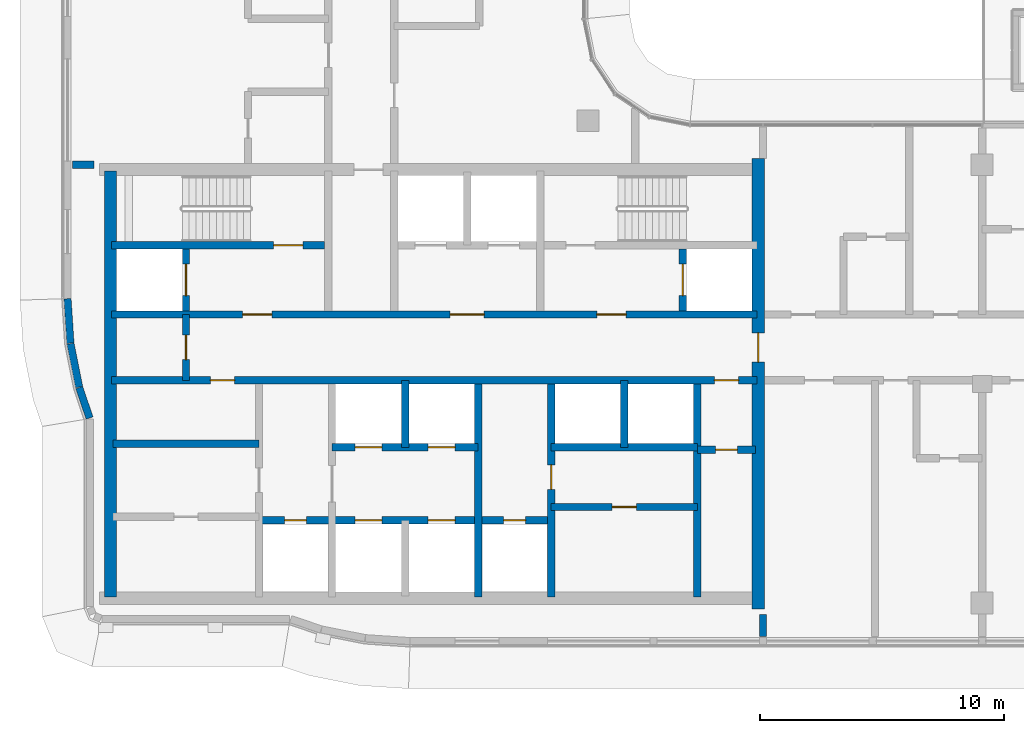
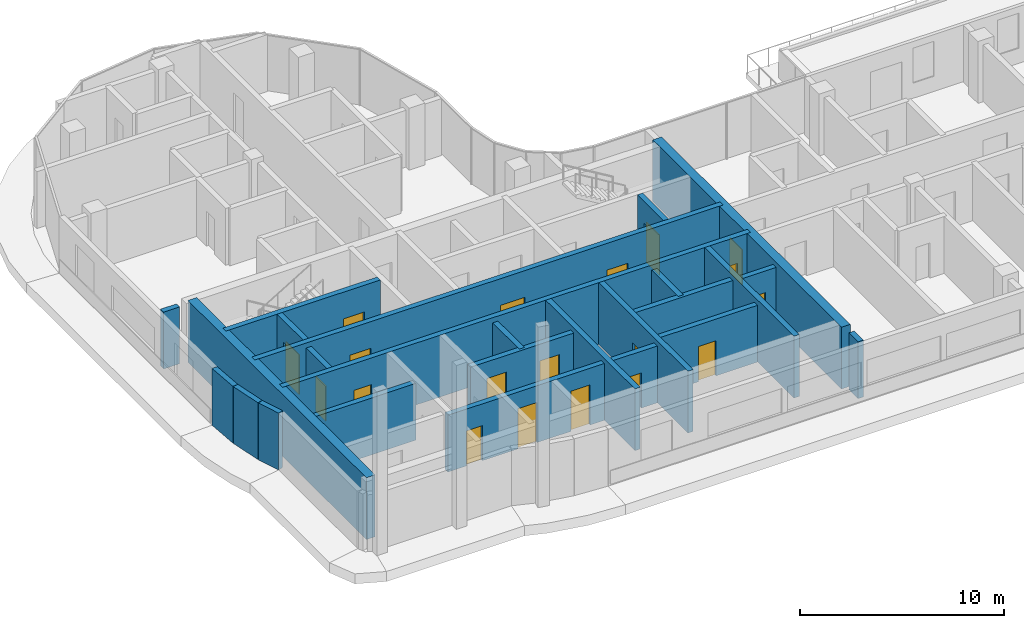
# One storey, part 9 of 20: 24 walls, 19 doors, 19 openings.
"""IFC4 building model written with IfcOpenShell, lengths in metres."""

import ifcopenshell
import ifcopenshell.guid

model = None  # the IFC model being written
_history = None  # IfcOwnerHistory: only IFC2X3 demands one
_inside = {}  # id of a spatial element -> (the spatial element, [elements in it])
_under = {}  # id of a project, library or spatial element -> (it, [spatial elements below it])
_declared = {}  # id of a project -> (the project, [libraries it declares])
_typed = {}  # id of a type object -> (the type object, [elements of that type])
_made_of = {}  # id of a material, layer set ... -> (it, [elements and type objects made of it])


def new_model(schema):
    """Start an empty IFC model of exactly this schema.

    Asked for "IFC4X3", IfcOpenShell would pick the latest addendum, in which some entities
    have other attributes; the version numbers below select the first issue.
    IFC2X3 requires an IfcOwnerHistory on every rooted entity: one is made here for all.
    """
    global model, _history
    if schema == "IFC4X3":
        model = ifcopenshell.file(schema_version=(4, 3, 0, 0))
    else:
        model = ifcopenshell.file(schema=schema)
    _inside.clear()
    _under.clear()
    _declared.clear()
    _typed.clear()
    _made_of.clear()
    _history = None
    if model.schema == "IFC2X3":
        org = make("IfcOrganization", Name="unknown")
        user = make(
            "IfcPersonAndOrganization",
            ThePerson=make("IfcPerson", FamilyName="unknown"),
            TheOrganization=org,
        )
        app = make(
            "IfcApplication",
            ApplicationDeveloper=org,
            Version="unknown",
            ApplicationFullName="unknown",
            ApplicationIdentifier="unknown",
        )
        _history = make(
            "IfcOwnerHistory",
            OwningUser=user,
            OwningApplication=app,
            ChangeAction="ADDED",
            CreationDate=0,
        )
    return model


def make(cls, **values):
    """One entity of the class cls with the attributes given. An attribute that is None is left unset."""
    return model.create_entity(
        cls, **{name: value for name, value in values.items() if value is not None}
    )


def rooted(cls, **values):
    """An entity with a GlobalId (a new one), such as an element, a storey or a relation."""
    return make(cls, GlobalId=ifcopenshell.guid.new(), OwnerHistory=_history, **values)


def si_unit(unit_type, name, prefix=None):
    """IfcSIUnit, for example si_unit("LENGTHUNIT", "METRE", prefix="MILLI")."""
    return make("IfcSIUnit", UnitType=unit_type, Prefix=prefix, Name=name)


def assignment(units):
    """IfcUnitAssignment: the units of a project."""
    return None if units is None else make("IfcUnitAssignment", Units=units)


def point(xyz):
    """IfcCartesianPoint."""
    return None if xyz is None else make("IfcCartesianPoint", Coordinates=xyz)


def direction(xyz):
    """IfcDirection."""
    return None if xyz is None else make("IfcDirection", DirectionRatios=xyz)


def frame(location, z_axis=None, x_axis=None):
    """IfcAxis2Placement3D, a coordinate frame: its origin and axes. An axis left out is left unset."""
    return make(
        "IfcAxis2Placement3D",
        Location=point(location),
        Axis=direction(z_axis),
        RefDirection=direction(x_axis),
    )


def frame_2d(location, x_axis=None):
    """IfcAxis2Placement2D, a coordinate frame in the plane: its origin and x axis."""
    return make(
        "IfcAxis2Placement2D", Location=point(location), RefDirection=direction(x_axis)
    )


def origin():
    """The frame at (0, 0, 0) with its axes left unset."""
    return frame((0.0, 0.0, 0.0))


def place(relative_to, where):
    """IfcLocalPlacement: puts the frame where relative to a parent placement (None: the world)."""
    return make(
        "IfcLocalPlacement", PlacementRelTo=relative_to, RelativePlacement=where
    )


def context(
    kind, dimensions, precision=None, world=None, true_north=None, identifier=None
):
    """IfcGeometricRepresentationContext, for example the 3D "Model" context."""
    return make(
        "IfcGeometricRepresentationContext",
        ContextIdentifier=identifier,
        ContextType=kind,
        CoordinateSpaceDimension=dimensions,
        Precision=precision,
        WorldCoordinateSystem=world,
        TrueNorth=true_north,
    )


def subcontext(parent, identifier, kind, view, scale=None):
    """IfcGeometricRepresentationSubContext, for example "Body" below "Model"."""
    return make(
        "IfcGeometricRepresentationSubContext",
        ContextIdentifier=identifier,
        ContextType=kind,
        ParentContext=parent,
        TargetScale=scale,
        TargetView=view,
    )


def project(units=None, contexts=None):
    """IfcProject with its units and contexts."""
    return rooted(
        "IfcProject",
        Name="project",
        RepresentationContexts=contexts,
        UnitsInContext=assignment(units),
    )


def spatial(cls, under=None, at=None, **own):
    """A site, building, storey or space (cls), placed at a placement, below another one or the project."""
    s = rooted(cls, ObjectPlacement=at, **own)
    if under is not None:
        _under.setdefault(under.id(), (under, []))[1].append(s)
    return s


def profile(cls, at=None, kind="AREA", **sizes):
    """A parametric profile (cls). Its sizes go by their IFC names, for example OverallWidth=200.0."""
    return make(cls, ProfileType=kind, Position=at, **sizes)


def rectangle(**sizes):
    """IfcRectangleProfileDef."""
    return profile("IfcRectangleProfileDef", **sizes)


def extrude(swept, where, along, depth):
    """IfcExtrudedAreaSolid: the profile swept, set in the frame where, extruded along a direction by depth."""
    return make(
        "IfcExtrudedAreaSolid",
        SweptArea=swept,
        Position=where,
        ExtrudedDirection=direction(along),
        Depth=depth,
    )


def shape(context_of_items, identifier, shape_type, items):
    """IfcShapeRepresentation: the items that make up one representation, for example the "Body"."""
    return make(
        "IfcShapeRepresentation",
        ContextOfItems=context_of_items,
        RepresentationIdentifier=identifier,
        RepresentationType=shape_type,
        Items=items,
    )


def material(Name=None, Category=None):
    """IfcMaterial."""
    return make("IfcMaterial", Name=Name, Category=Category)


def layer(
    of_material, thickness, ventilated=None, Name=None, Category=None, Priority=None
):
    """IfcMaterialLayer: one layer of a wall or slab, of a material (None: an air gap)."""
    return make(
        "IfcMaterialLayer",
        Material=of_material,
        LayerThickness=thickness,
        IsVentilated=ventilated,
        Name=Name,
        Category=Category,
        Priority=Priority,
    )


def layer_set(layers, Name=None):
    """IfcMaterialLayerSet."""
    return make("IfcMaterialLayerSet", MaterialLayers=layers, LayerSetName=Name)


def made_of(thing, what):
    """Note that an element or type object is made of a material, layer set ...; save() writes the relation."""
    if what is not None:
        _made_of.setdefault(what.id(), (what, []))[1].append(thing)
    return thing


def type_object(cls, material=None, **own):
    """A type object (cls), such as IfcWallType, which elements share."""
    return made_of(rooted(cls, **own), material)


def element(
    cls,
    number,
    at=None,
    inside=None,
    cuts=None,
    type_object=None,
    material=None,
    context=None,
    identifier="Body",
    shape_type=None,
    held_by="IfcProductDefinitionShape",
    body=None,
    shapes=None,
    **own,
):
    """One element of the class cls, such as IfcWall. Its Tag is "e" and its number.

    at: its placement. inside: the storey or other place that contains it. cuts: it is an
    opening in that element (IfcRelVoidsElement). A single representation is given by context,
    identifier, shape_type and body (its items); several are given by shapes. held_by: the class
    of the entity that holds the representations. save() writes the other relations.
    """
    e = rooted(cls, Tag="e%d" % number, ObjectPlacement=at, **own)
    if body is not None:
        shapes = [shape(context, identifier, shape_type, body)]
    if shapes is not None:
        e.Representation = make(held_by, Representations=shapes)
    if inside is not None:
        _inside.setdefault(inside.id(), (inside, []))[1].append(e)
    if cuts is not None:
        rooted(
            "IfcRelVoidsElement", RelatingBuildingElement=cuts, RelatedOpeningElement=e
        )
    if type_object is not None:
        _typed.setdefault(type_object.id(), (type_object, []))[1].append(e)
    return made_of(e, material)


def fill(opening, filler):
    """IfcRelFillsElement: the door or window that sits in an opening."""
    return rooted(
        "IfcRelFillsElement",
        RelatingOpeningElement=opening,
        RelatedBuildingElement=filler,
    )


def aggregate(whole, parts):
    """IfcRelAggregates: a whole, such as a stair, and the parts it consists of."""
    return rooted("IfcRelAggregates", RelatingObject=whole, RelatedObjects=parts)


def save(model, path):
    """Write the relations noted so far, then the file.

    IfcRelAggregates (storeys below a building ...), IfcRelContainedInSpatialStructure (elements
    in a storey), IfcRelDefinesByType, IfcRelAssociatesMaterial and IfcRelDeclares: one each for
    every whole, place, type object, material and project.
    """
    for whole, parts in _under.values():
        aggregate(whole, parts)
    for where, things in _inside.values():
        rooted(
            "IfcRelContainedInSpatialStructure",
            RelatedElements=things,
            RelatingStructure=where,
        )
    for kind, things in _typed.values():
        rooted("IfcRelDefinesByType", RelatedObjects=things, RelatingType=kind)
    for what, things in _made_of.values():
        rooted("IfcRelAssociatesMaterial", RelatedObjects=things, RelatingMaterial=what)
    for by, libraries in _declared.values():
        rooted("IfcRelDeclares", RelatingContext=by, RelatedDefinitions=libraries)
    model.write(path)


model = new_model("IFC4")

# Units and contexts
model_context = context("Model", 3, precision=1e-05, world=origin(), true_north=direction((0.0, 1.0)))
body_context = subcontext(model_context, "Body", "Model", "MODEL_VIEW")
ifc_project = project(units=[si_unit("LENGTHUNIT", "METRE"), si_unit("AREAUNIT", "SQUARE_METRE"), si_unit("VOLUMEUNIT", "CUBIC_METRE"), si_unit("PLANEANGLEUNIT", "RADIAN"), si_unit("MASSUNIT", "GRAM", prefix="KILO")], contexts=[model_context])

# Site, building, storey
site_placement = place(None, origin())
site = spatial("IfcSite", under=ifc_project, at=site_placement, CompositionType="ELEMENT")
building_placement = place(site_placement, origin())
building = spatial("IfcBuilding", under=site, at=building_placement, Name="Ogive Portal Towers", CompositionType="ELEMENT")
storey_placement = place(building_placement, frame((0.0, 0.0, 195.800048828125)))
storey = spatial("IfcBuildingStorey", under=building, at=storey_placement, Name="L48", CompositionType="ELEMENT", Elevation=195.800048828125)

# Wall
ifc_material_1 = material(Name="Concrete C60/75", Category="concrete")
ifc_layer_1 = layer(ifc_material_1, 0.300048828125)
ifc_layer_set_1 = layer_set([ifc_layer_1], Name="CORE WALL 300 C60")
wall_type_1 = type_object("IfcWallType", Name="CORE WALL 300 C60", PredefinedType="SHEAR", material=ifc_layer_set_1)
wall_1_placement = place(storey_placement, frame((46.800048828125, 21.75, 0.0), z_axis=(0.0, 0.0, 1.0), x_axis=(0.0, 1.0, 0.0)))
element("IfcWall", 1, at=wall_1_placement, inside=storey, type_object=wall_type_1, Name="Core wall X3 L48", PredefinedType="SHEAR", context=body_context, shape_type="SweptSolid", body=[
    extrude(rectangle(XDim=8.75, YDim=0.300048828125, at=frame_2d((4.375, 0.0))), origin(), (0.0, 0.0, 1.0), 3.699951171875),
])

# Wall, opening, door
wall_2_placement = place(storey_placement, frame((49.800048828125, 21.75, 0.0), z_axis=(0.0, 0.0, 1.0), x_axis=(0.0, 1.0, 0.0)))
wall_2 = element("IfcWall", 2, at=wall_2_placement, inside=storey, type_object=wall_type_1, Name="Core wall X4 L48", PredefinedType="SHEAR", context=body_context, shape_type="SweptSolid", body=[
    extrude(rectangle(XDim=8.75, YDim=0.300048828125, at=frame_2d((4.375, 0.0))), origin(), (0.0, 0.0, 1.0), 3.699951171875),
])
opening_1_placement = place(wall_2_placement, frame((4.425048828125, 0.0, 0.0)))
opening_1 = element("IfcOpeningElement", 3, at=opening_1_placement, cuts=wall_2, Name="Opening D35-024", PredefinedType="OPENING", context=body_context, shape_type="SweptSolid", body=[
    extrude(rectangle(XDim=1.0, YDim=2.10009765625, at=frame_2d((0.5, 1.050048828125))), frame((0.0, 0.16015625, 0.0), z_axis=(0.0, -1.0, 0.0), x_axis=(1.0, 0.0, 0.0)), (0.0, 0.0, 1.0), 0.320068359375),
])
ifc_material_2 = material(Name="Steel fire door", Category="steel")
door_type_1 = type_object("IfcDoorType", Name="DT-SWING-1000x2100-FD90S", OperationType="SINGLE_SWING_LEFT", PredefinedType="DOOR", material=ifc_material_2)
door_1_placement = place(opening_1_placement, origin())
door_1 = element("IfcDoor", 4, at=door_1_placement, inside=storey, type_object=door_type_1, Name="Door D35-024", OperationType="SINGLE_SWING_RIGHT", OverallHeight=2.10009765625, OverallWidth=1.0, PredefinedType="DOOR", context=body_context, shape_type="SweptSolid", body=[
    extrude(rectangle(XDim=1.0, YDim=2.10009765625, at=frame_2d((0.5, 1.050048828125))), frame((0.0, 0.02490234375, 0.0), z_axis=(0.0, -1.0, 0.0), x_axis=(1.0, 0.0, 0.0)), (0.0, 0.0, 1.0), 0.050048828125),
])
fill(opening_1, door_1)

# Wall
wall_3_placement = place(storey_placement, frame((55.800048828125, 21.75, 0.0), z_axis=(0.0, 0.0, 1.0), x_axis=(0.0, 1.0, 0.0)))
element("IfcWall", 5, at=wall_3_placement, inside=storey, type_object=wall_type_1, Name="Core wall X5 L48", PredefinedType="SHEAR", context=body_context, shape_type="SweptSolid", body=[
    extrude(rectangle(XDim=8.75, YDim=0.300048828125, at=frame_2d((4.375, 0.0))), origin(), (0.0, 0.0, 1.0), 3.699951171875),
])

# Wall, openings, doors
wall_4_placement = place(storey_placement, frame((31.75, 30.64990234375, 0.0), z_axis=(0.0, 0.0, 1.0), x_axis=(1.0, 0.0, 0.0)))
wall_4 = element("IfcWall", 6, at=wall_4_placement, inside=storey, type_object=wall_type_1, Name="Core wall Y1 L48", PredefinedType="SHEAR", context=body_context, shape_type="SweptSolid", body=[
    extrude(rectangle(XDim=26.5, YDim=0.300048828125, at=frame_2d((13.25, 0.0))), origin(), (0.0, 0.0, 1.0), 3.699951171875),
])
opening_2_placement = place(wall_4_placement, frame((24.75, 0.0, 0.0)))
opening_2 = element("IfcOpeningElement", 7, at=opening_2_placement, cuts=wall_4, Name="Opening D35-009", PredefinedType="OPENING", context=body_context, shape_type="SweptSolid", body=[
    extrude(rectangle(XDim=1.0, YDim=2.10009765625, at=frame_2d((0.5, 1.050048828125))), frame((0.0, 0.16015625, 0.0), z_axis=(0.0, -1.0, 0.0), x_axis=(1.0, 0.0, 0.0)), (0.0, 0.0, 1.0), 0.320068359375),
])
opening_3_placement = place(wall_4_placement, frame((4.050048828125, 0.0, 0.0)))
opening_3 = element("IfcOpeningElement", 8, at=opening_3_placement, cuts=wall_4, Name="Opening D35-021", PredefinedType="OPENING", context=body_context, shape_type="SweptSolid", body=[
    extrude(rectangle(XDim=1.0, YDim=2.10009765625, at=frame_2d((0.5, 1.050048828125))), frame((0.0, 0.16015625, 0.0), z_axis=(0.0, -1.0, 0.0), x_axis=(1.0, 0.0, 0.0)), (0.0, 0.0, 1.0), 0.320068359375),
])
door_2_placement = place(opening_2_placement, origin())
door_2 = element("IfcDoor", 9, at=door_2_placement, inside=storey, type_object=door_type_1, Name="Door D35-009", OperationType="SINGLE_SWING_LEFT", OverallHeight=2.10009765625, OverallWidth=1.0, PredefinedType="DOOR", context=body_context, shape_type="SweptSolid", body=[
    extrude(rectangle(XDim=1.0, YDim=2.10009765625, at=frame_2d((0.5, 1.050048828125))), frame((0.0, 0.02490234375, 0.0), z_axis=(0.0, -1.0, 0.0), x_axis=(1.0, 0.0, 0.0)), (0.0, 0.0, 1.0), 0.050048828125),
])
fill(opening_2, door_2)
door_3_placement = place(opening_3_placement, origin())
door_3 = element("IfcDoor", 10, at=door_3_placement, inside=storey, type_object=door_type_1, Name="Door D35-021", OperationType="SINGLE_SWING_LEFT", OverallHeight=2.10009765625, OverallWidth=1.0, PredefinedType="DOOR", context=body_context, shape_type="SweptSolid", body=[
    extrude(rectangle(XDim=1.0, YDim=2.10009765625, at=frame_2d((0.5, 1.050048828125))), frame((0.0, 0.02490234375, 0.0), z_axis=(0.0, -1.0, 0.0), x_axis=(1.0, 0.0, 0.0)), (0.0, 0.0, 1.0), 0.050048828125),
])
fill(opening_3, door_3)

wall_5_placement = place(storey_placement, frame((31.75, 33.35009765625, 0.0), z_axis=(0.0, 0.0, 1.0), x_axis=(1.0, 0.0, 0.0)))
wall_5 = element("IfcWall", 11, at=wall_5_placement, inside=storey, type_object=wall_type_1, Name="Core wall Y2 L48", PredefinedType="SHEAR", context=body_context, shape_type="SweptSolid", body=[
    extrude(rectangle(XDim=26.5, YDim=0.300048828125, at=frame_2d((13.25, 0.0))), origin(), (0.0, 0.0, 1.0), 3.699951171875),
])
opening_4_placement = place(wall_5_placement, frame((13.89990234375, 0.0, 0.0)))
opening_4 = element("IfcOpeningElement", 12, at=opening_4_placement, cuts=wall_5, Name="Opening D35-002", PredefinedType="OPENING", context=body_context, shape_type="SweptSolid", body=[
    extrude(rectangle(XDim=1.39990234375, YDim=2.10009765625, at=frame_2d((0.699951171875, 1.050048828125))), frame((0.0, 0.16015625, 0.0), z_axis=(0.0, -1.0, 0.0), x_axis=(1.0, 0.0, 0.0)), (0.0, 0.0, 1.0), 0.320068359375),
])
opening_5_placement = place(wall_5_placement, frame((5.375, 0.0, 0.0)))
opening_5 = element("IfcOpeningElement", 13, at=opening_5_placement, cuts=wall_5, Name="Opening D35-003", PredefinedType="OPENING", context=body_context, shape_type="SweptSolid", body=[
    extrude(rectangle(XDim=1.199951171875, YDim=2.10009765625, at=frame_2d((0.60009765625, 1.050048828125))), frame((0.0, 0.16015625, 0.0), z_axis=(0.0, -1.0, 0.0), x_axis=(1.0, 0.0, 0.0)), (0.0, 0.0, 1.0), 0.320068359375),
])
opening_6_placement = place(wall_5_placement, frame((19.925048828125, 0.0, 0.0)))
opening_6 = element("IfcOpeningElement", 14, at=opening_6_placement, cuts=wall_5, Name="Opening D35-004", PredefinedType="OPENING", context=body_context, shape_type="SweptSolid", body=[
    extrude(rectangle(XDim=1.199951171875, YDim=2.10009765625, at=frame_2d((0.60009765625, 1.050048828125))), frame((0.0, 0.16015625, 0.0), z_axis=(0.0, -1.0, 0.0), x_axis=(1.0, 0.0, 0.0)), (0.0, 0.0, 1.0), 0.320068359375),
])
door_type_2 = type_object("IfcDoorType", Name="DT-SWING-1200x2100-FD90S", OperationType="SINGLE_SWING_LEFT", PredefinedType="DOOR", material=ifc_material_2)
door_4_placement = place(opening_5_placement, origin())
door_4 = element("IfcDoor", 15, at=door_4_placement, inside=storey, type_object=door_type_2, Name="Door D35-003", OperationType="SINGLE_SWING_LEFT", OverallHeight=2.10009765625, OverallWidth=1.199951171875, PredefinedType="DOOR", context=body_context, shape_type="SweptSolid", body=[
    extrude(rectangle(XDim=1.199951171875, YDim=2.10009765625, at=frame_2d((0.60009765625, 1.050048828125))), frame((0.0, 0.02490234375, 0.0), z_axis=(0.0, -1.0, 0.0), x_axis=(1.0, 0.0, 0.0)), (0.0, 0.0, 1.0), 0.050048828125),
])
fill(opening_5, door_4)
door_5_placement = place(opening_6_placement, origin())
door_5 = element("IfcDoor", 16, at=door_5_placement, inside=storey, type_object=door_type_2, Name="Door D35-004", OperationType="SINGLE_SWING_RIGHT", OverallHeight=2.10009765625, OverallWidth=1.199951171875, PredefinedType="DOOR", context=body_context, shape_type="SweptSolid", body=[
    extrude(rectangle(XDim=1.199951171875, YDim=2.10009765625, at=frame_2d((0.60009765625, 1.050048828125))), frame((0.0, 0.02490234375, 0.0), z_axis=(0.0, -1.0, 0.0), x_axis=(1.0, 0.0, 0.0)), (0.0, 0.0, 1.0), 0.050048828125),
])
fill(opening_6, door_5)
door_type_3 = type_object("IfcDoorType", Name="DT-SWING-1400x2100-FD90S", OperationType="SINGLE_SWING_LEFT", PredefinedType="DOOR", material=ifc_material_2)
door_6_placement = place(opening_4_placement, origin())
door_6 = element("IfcDoor", 17, at=door_6_placement, inside=storey, type_object=door_type_3, Name="Door D35-002", OperationType="SINGLE_SWING_RIGHT", OverallHeight=2.10009765625, OverallWidth=1.39990234375, PredefinedType="DOOR", context=body_context, shape_type="SweptSolid", body=[
    extrude(rectangle(XDim=1.39990234375, YDim=2.10009765625, at=frame_2d((0.699951171875, 1.050048828125))), frame((0.0, 0.02490234375, 0.0), z_axis=(0.0, -1.0, 0.0), x_axis=(1.0, 0.0, 0.0)), (0.0, 0.0, 1.0), 0.050048828125),
])
fill(opening_4, door_6)

# Wall, opening, door
wall_6_placement = place(storey_placement, frame((31.75, 36.199951171875, 0.0), z_axis=(0.0, 0.0, 1.0), x_axis=(1.0, 0.0, 0.0)))
wall_6 = element("IfcWall", 18, at=wall_6_placement, inside=storey, type_object=wall_type_1, Name="Core wall Y3a L48", PredefinedType="SHEAR", context=body_context, shape_type="SweptSolid", body=[
    extrude(rectangle(XDim=8.75, YDim=0.300048828125, at=frame_2d((4.375, 0.0))), origin(), (0.0, 0.0, 1.0), 3.699951171875),
])
opening_7_placement = place(wall_6_placement, frame((6.64990234375, 0.0, 0.0)))
opening_7 = element("IfcOpeningElement", 19, at=opening_7_placement, cuts=wall_6, Name="Opening D35-005", PredefinedType="OPENING", context=body_context, shape_type="SweptSolid", body=[
    extrude(rectangle(XDim=1.199951171875, YDim=2.10009765625, at=frame_2d((0.60009765625, 1.050048828125))), frame((0.0, 0.16015625, 0.0), z_axis=(0.0, -1.0, 0.0), x_axis=(1.0, 0.0, 0.0)), (0.0, 0.0, 1.0), 0.320068359375),
])
door_7_placement = place(opening_7_placement, origin())
door_7 = element("IfcDoor", 20, at=door_7_placement, inside=storey, type_object=door_type_2, Name="Door D35-005", OperationType="SINGLE_SWING_RIGHT", OverallHeight=2.10009765625, OverallWidth=1.199951171875, PredefinedType="DOOR", context=body_context, shape_type="SweptSolid", body=[
    extrude(rectangle(XDim=1.199951171875, YDim=2.10009765625, at=frame_2d((0.60009765625, 1.050048828125))), frame((0.0, 0.02490234375, 0.0), z_axis=(0.0, -1.0, 0.0), x_axis=(1.0, 0.0, 0.0)), (0.0, 0.0, 1.0), 0.050048828125),
])
fill(opening_7, door_7)

wall_7_placement = place(storey_placement, frame((34.800048828125, 33.5, 0.0), z_axis=(0.0, 0.0, 1.0), x_axis=(0.0, 1.0, 0.0)))
wall_7 = element("IfcWall", 21, at=wall_7_placement, inside=storey, type_object=wall_type_1, Name="Core wall X8 L48", PredefinedType="SHEAR", context=body_context, shape_type="SweptSolid", body=[
    extrude(rectangle(XDim=2.550048828125, YDim=0.300048828125, at=frame_2d((1.27490234375, 0.0))), origin(), (0.0, 0.0, 1.0), 3.699951171875),
])
opening_8_placement = place(wall_7_placement, frame((0.625, 0.0, 0.0)))
opening_8 = element("IfcOpeningElement", 22, at=opening_8_placement, cuts=wall_7, Name="Opening D35-019", PredefinedType="OPENING", context=body_context, shape_type="SweptSolid", body=[
    extrude(rectangle(XDim=1.300048828125, YDim=2.39990234375, at=frame_2d((0.64990234375, 1.199951171875))), frame((0.0, 0.16015625, 0.0), z_axis=(0.0, -1.0, 0.0), x_axis=(1.0, 0.0, 0.0)), (0.0, 0.0, 1.0), 0.320068359375),
])
ifc_material_3 = material(Name="Stainless steel", Category="steel")
door_type_4 = type_object("IfcDoorType", Name="DT-LD-1300x2400", OperationType="SLIDING_TO_LEFT", PredefinedType="DOOR", material=ifc_material_3)
door_8_placement = place(opening_8_placement, origin())
door_8 = element("IfcDoor", 23, at=door_8_placement, inside=storey, type_object=door_type_4, Name="Door D35-019", OperationType="SLIDING_TO_LEFT", OverallHeight=2.39990234375, OverallWidth=1.300048828125, PredefinedType="DOOR", context=body_context, shape_type="SweptSolid", body=[
    extrude(rectangle(XDim=1.300048828125, YDim=2.39990234375, at=frame_2d((0.64990234375, 1.199951171875))), frame((0.0, 0.02490234375, 0.0), z_axis=(0.0, -1.0, 0.0), x_axis=(1.0, 0.0, 0.0)), (0.0, 0.0, 1.0), 0.050048828125),
])
fill(opening_8, door_8)

wall_8_placement = place(storey_placement, frame((55.199951171875, 33.5, 0.0), z_axis=(0.0, 0.0, 1.0), x_axis=(0.0, 1.0, 0.0)))
wall_8 = element("IfcWall", 24, at=wall_8_placement, inside=storey, type_object=wall_type_1, Name="Core wall X10 L48", PredefinedType="SHEAR", context=body_context, shape_type="SweptSolid", body=[
    extrude(rectangle(XDim=2.550048828125, YDim=0.300048828125, at=frame_2d((1.27490234375, 0.0))), origin(), (0.0, 0.0, 1.0), 3.699951171875),
])
opening_9_placement = place(wall_8_placement, frame((0.625, 0.0, 0.0)))
opening_9 = element("IfcOpeningElement", 25, at=opening_9_placement, cuts=wall_8, Name="Opening D35-020", PredefinedType="OPENING", context=body_context, shape_type="SweptSolid", body=[
    extrude(rectangle(XDim=1.300048828125, YDim=2.39990234375, at=frame_2d((0.64990234375, 1.199951171875))), frame((0.0, 0.16015625, 0.0), z_axis=(0.0, -1.0, 0.0), x_axis=(1.0, 0.0, 0.0)), (0.0, 0.0, 1.0), 0.320068359375),
])
door_9_placement = place(opening_9_placement, origin())
door_9 = element("IfcDoor", 26, at=door_9_placement, inside=storey, type_object=door_type_4, Name="Door D35-020", OperationType="SLIDING_TO_LEFT", OverallHeight=2.39990234375, OverallWidth=1.300048828125, PredefinedType="DOOR", context=body_context, shape_type="SweptSolid", body=[
    extrude(rectangle(XDim=1.300048828125, YDim=2.39990234375, at=frame_2d((0.64990234375, 1.199951171875))), frame((0.0, 0.02490234375, 0.0), z_axis=(0.0, -1.0, 0.0), x_axis=(1.0, 0.0, 0.0)), (0.0, 0.0, 1.0), 0.050048828125),
])
fill(opening_9, door_9)

# Wall
ifc_layer_2 = layer(ifc_material_1, 0.5)
ifc_layer_set_2 = layer_set([ifc_layer_2], Name="CORE WALL 500 C60")
wall_type_2 = type_object("IfcWallType", Name="CORE WALL 500 C60", PredefinedType="SHEAR", material=ifc_layer_set_2)
wall_9_placement = place(storey_placement, frame((31.699951171875, 21.75, 0.0), z_axis=(0.0, 0.0, 1.0), x_axis=(0.0, 1.0, 0.0)))
element("IfcWall", 27, at=wall_9_placement, inside=storey, type_object=wall_type_2, Name="Core wall W L48", PredefinedType="SHEAR", context=body_context, shape_type="SweptSolid", body=[
    extrude(rectangle(XDim=17.5, YDim=0.5, at=frame_2d((8.75, 0.0))), origin(), (0.0, 0.0, 1.0), 3.699951171875),
])

# Wall, opening, door
wall_10_placement = place(storey_placement, frame((58.300048828125, 21.25, 0.0), z_axis=(0.0, 0.0, 1.0), x_axis=(0.0, 1.0, 0.0)))
wall_10 = element("IfcWall", 28, at=wall_10_placement, inside=storey, type_object=wall_type_2, Name="Core wall E L48", PredefinedType="SHEAR", context=body_context, shape_type="SweptSolid", body=[
    extrude(rectangle(XDim=18.5, YDim=0.5, at=frame_2d((9.25, 0.0))), origin(), (0.0, 0.0, 1.0), 3.699951171875),
])
opening_10_placement = place(wall_10_placement, frame((10.14990234375, 0.0, 0.0)))
opening_10 = element("IfcOpeningElement", 29, at=opening_10_placement, cuts=wall_10, Name="Opening D35-011", PredefinedType="OPENING", context=body_context, shape_type="SweptSolid", body=[
    extrude(rectangle(XDim=1.199951171875, YDim=2.10009765625, at=frame_2d((0.60009765625, 1.050048828125))), frame((0.0, 0.260009765625, 0.0), z_axis=(0.0, -1.0, 0.0), x_axis=(1.0, 0.0, 0.0)), (0.0, 0.0, 1.0), 0.52001953125),
])
door_10_placement = place(opening_10_placement, origin())
door_10 = element("IfcDoor", 30, at=door_10_placement, inside=storey, type_object=door_type_2, Name="Door D35-011", OperationType="SINGLE_SWING_LEFT", OverallHeight=2.10009765625, OverallWidth=1.199951171875, PredefinedType="DOOR", context=body_context, shape_type="SweptSolid", body=[
    extrude(rectangle(XDim=1.199951171875, YDim=2.10009765625, at=frame_2d((0.60009765625, 1.050048828125))), frame((0.0, 0.02490234375, 0.0), z_axis=(0.0, -1.0, 0.0), x_axis=(1.0, 0.0, 0.0)), (0.0, 0.0, 1.0), 0.050048828125),
])
fill(opening_10, door_10)

# Walls
ifc_material_4 = material(Name="Limestone cladding on lightweight block wall", Category="masonry")
ifc_layer_3 = layer(ifc_material_4, 0.300048828125)
ifc_layer_set_3 = layer_set([ifc_layer_3], Name="EXTERNAL WALL 300 STONE")
wall_type_3 = type_object("IfcWallType", Name="EXTERNAL WALL 300 STONE", PredefinedType="SOLIDWALL", material=ifc_layer_set_3)
wall_11_placement = place(storey_placement, frame((29.935302734375, 34.0, 0.0), z_axis=(0.0, 0.0, 1.0), x_axis=(0.065376617685, -0.997860660543, 0.0)))
element("IfcWall", 31, at=wall_11_placement, inside=storey, type_object=wall_type_3, Name="A:L48:f26:r0:wall", PredefinedType="SOLIDWALL", context=body_context, shape_type="SweptSolid", body=[
    extrude(rectangle(XDim=1.829833984375, YDim=0.300048828125, at=frame_2d((0.9150390625, 0.0))), origin(), (0.0, 0.0, 1.0), 3.39990234375),
])
wall_12_placement = place(storey_placement, frame((30.0576171875, 32.154541015625, 0.0), z_axis=(0.0, 0.0, 1.0), x_axis=(0.195032615553, -0.980796757168, 0.0)))
element("IfcWall", 32, at=wall_12_placement, inside=storey, type_object=wall_type_3, Name="A:L48:f27:r0:wall", PredefinedType="SOLIDWALL", context=body_context, shape_type="SweptSolid", body=[
    extrude(rectangle(XDim=1.820068359375, YDim=0.300048828125, at=frame_2d((0.91015625, 0.0))), origin(), (0.0, 0.0, 1.0), 3.39990234375),
])
wall_13_placement = place(storey_placement, frame((30.417724609375, 30.3505859375, 0.0), z_axis=(0.0, 0.0, 1.0), x_axis=(0.32143850255, -0.946930456305, 0.0)))
element("IfcWall", 33, at=wall_13_placement, inside=storey, type_object=wall_type_3, Name="A:L48:f28:r0:wall", PredefinedType="SOLIDWALL", context=body_context, shape_type="SweptSolid", body=[
    extrude(rectangle(XDim=1.320068359375, YDim=0.300048828125, at=frame_2d((0.66015625, 0.0))), origin(), (0.0, 0.0, 1.0), 3.39990234375),
])

# Wall, opening, door
ifc_material_5 = material(Name="Gypsum board partition on steel studs", Category="steel")
ifc_layer_4 = layer(ifc_material_5, 0.300048828125)
ifc_layer_set_4 = layer_set([ifc_layer_4], Name="WT-PART-300")
wall_type_4 = type_object("IfcWallType", Name="WT-PART-300", PredefinedType="PARTITIONING", material=ifc_layer_set_4)
wall_14_placement = place(storey_placement, frame((49.800048828125, 25.449951171875, 0.0), z_axis=(0.0, 0.0, 1.0), x_axis=(1.0, 0.0, 0.0)))
wall_14 = element("IfcWall", 34, at=wall_14_placement, inside=storey, type_object=wall_type_4, Name="Wall pw:003:L48", PredefinedType="PARTITIONING", context=body_context, shape_type="SweptSolid", body=[
    extrude(rectangle(XDim=6.0, YDim=0.300048828125, at=frame_2d((3.0, 0.0))), origin(), (0.0, 0.0, 1.0), 3.39990234375),
])
opening_11_placement = place(wall_14_placement, frame((2.5, 0.0, 0.0)))
opening_11 = element("IfcOpeningElement", 35, at=opening_11_placement, cuts=wall_14, Name="Opening D35-025", PredefinedType="OPENING", context=body_context, shape_type="SweptSolid", body=[
    extrude(rectangle(XDim=1.0, YDim=2.10009765625, at=frame_2d((0.5, 1.050048828125))), frame((0.0, 0.16015625, 0.0), z_axis=(0.0, -1.0, 0.0), x_axis=(1.0, 0.0, 0.0)), (0.0, 0.0, 1.0), 0.320068359375),
])
door_type_5 = type_object("IfcDoorType", Name="DT-SWING-1000x2100-FD60S", OperationType="SINGLE_SWING_LEFT", PredefinedType="DOOR", material=ifc_material_2)
door_11_placement = place(opening_11_placement, origin())
door_11 = element("IfcDoor", 36, at=door_11_placement, inside=storey, type_object=door_type_5, Name="Door D35-025", OperationType="SINGLE_SWING_RIGHT", OverallHeight=2.10009765625, OverallWidth=1.0, PredefinedType="DOOR", context=body_context, shape_type="SweptSolid", body=[
    extrude(rectangle(XDim=1.0, YDim=2.10009765625, at=frame_2d((0.5, 1.050048828125))), frame((0.0, 0.02490234375, 0.0), z_axis=(0.0, -1.0, 0.0), x_axis=(1.0, 0.0, 0.0)), (0.0, 0.0, 1.0), 0.050048828125),
])
fill(opening_11, door_11)

wall_15_placement = place(storey_placement, frame((55.800048828125, 27.800048828125, 0.0), z_axis=(0.0, 0.0, 1.0), x_axis=(1.0, 0.0, 0.0)))
wall_15 = element("IfcWall", 37, at=wall_15_placement, inside=storey, type_object=wall_type_4, Name="Wall pw:004:L48", PredefinedType="PARTITIONING", context=body_context, shape_type="SweptSolid", body=[
    extrude(rectangle(XDim=2.39990234375, YDim=0.300048828125, at=frame_2d((1.199951171875, 0.0))), origin(), (0.0, 0.0, 1.0), 3.39990234375),
])
opening_12_placement = place(wall_15_placement, frame((0.75, 0.0, 0.0)))
opening_12 = element("IfcOpeningElement", 38, at=opening_12_placement, cuts=wall_15, Name="Opening D35-010", PredefinedType="OPENING", context=body_context, shape_type="SweptSolid", body=[
    extrude(rectangle(XDim=0.89990234375, YDim=2.10009765625, at=frame_2d((0.449951171875, 1.050048828125))), frame((0.0, 0.16015625, 0.0), z_axis=(0.0, -1.0, 0.0), x_axis=(1.0, 0.0, 0.0)), (0.0, 0.0, 1.0), 0.320068359375),
])
door_type_6 = type_object("IfcDoorType", Name="DT-SWING-900x2100-FD60S", OperationType="SINGLE_SWING_LEFT", PredefinedType="DOOR", material=ifc_material_2)
door_12_placement = place(opening_12_placement, origin())
door_12 = element("IfcDoor", 39, at=door_12_placement, inside=storey, type_object=door_type_6, Name="Door D35-010", OperationType="SINGLE_SWING_RIGHT", OverallHeight=2.10009765625, OverallWidth=0.89990234375, PredefinedType="DOOR", context=body_context, shape_type="SweptSolid", body=[
    extrude(rectangle(XDim=0.89990234375, YDim=2.10009765625, at=frame_2d((0.449951171875, 1.050048828125))), frame((0.0, 0.02490234375, 0.0), z_axis=(0.0, -1.0, 0.0), x_axis=(1.0, 0.0, 0.0)), (0.0, 0.0, 1.0), 0.050048828125),
])
fill(opening_12, door_12)

# Walls
wall_16_placement = place(storey_placement, frame((31.800048828125, 28.050048828125, 0.0), z_axis=(0.0, 0.0, 1.0), x_axis=(1.0, 0.0, 0.0)))
element("IfcWall", 40, at=wall_16_placement, inside=storey, type_object=wall_type_4, Name="Wall pw:007:L48", PredefinedType="PARTITIONING", context=body_context, shape_type="SweptSolid", body=[
    extrude(rectangle(XDim=6.0, YDim=0.300048828125, at=frame_2d((3.0, 0.0))), origin(), (0.0, 0.0, 1.0), 3.39990234375),
])
ifc_layer_5 = layer(ifc_material_5, 0.300048828125)
ifc_layer_set_5 = layer_set([ifc_layer_5], Name="WT-PART-300-EI 60")
wall_type_5 = type_object("IfcWallType", Name="WT-PART-300-EI 60", PredefinedType="PARTITIONING", material=ifc_layer_set_5)
for number, where, z_axis, x_axis, name in (
    (41, (30.135009765625, 39.5, 0.0), (0.0, 0.0, 1.0), (1.0, 0.0, 0.0), "Wall L48:w012"),
    (42, (58.5, 20.135009765625, 0.0), (0.0, 0.0, 1.0), (0.0, 1.0, 0.0), "Wall L48:w034"),
):
    element("IfcWall", number, at=place(storey_placement, frame(where, z_axis=z_axis, x_axis=x_axis)), inside=storey, type_object=wall_type_5, Name=name, PredefinedType="PARTITIONING", context=body_context, shape_type="SweptSolid", body=[
        extrude(rectangle(XDim=0.89501953125, YDim=0.300048828125, at=frame_2d((0.447509765625, 0.0))), origin(), (0.0, 0.0, 1.0), 3.39990234375),
    ])

# Wall, openings, doors
ifc_material_6 = material(Name="Concrete C40/50", Category="concrete")
ifc_layer_6 = layer(ifc_material_6, 0.300048828125)
ifc_layer_set_6 = layer_set([ifc_layer_6], Name="WT-SHAFT-300")
wall_type_6 = type_object("IfcWallType", Name="WT-SHAFT-300", PredefinedType="SOLIDWALL", material=ifc_layer_set_6)
wall_17_placement = place(storey_placement, frame((37.800048828125, 24.89990234375, 0.0), z_axis=(0.0, 0.0, 1.0), x_axis=(1.0, 0.0, 0.0)))
wall_17 = element("IfcWall", 43, at=wall_17_placement, inside=storey, type_object=wall_type_6, Name="Wall pw:001:L48", PredefinedType="SOLIDWALL", context=body_context, shape_type="SweptSolid", body=[
    extrude(rectangle(XDim=12.0, YDim=0.300048828125, at=frame_2d((6.0, 0.0))), origin(), (0.0, 0.0, 1.0), 3.39990234375),
])
opening_13_placement = place(wall_17_placement, frame((1.050048828125, 0.0, 0.0)))
opening_13 = element("IfcOpeningElement", 44, at=opening_13_placement, cuts=wall_17, Name="Opening D35-007", PredefinedType="OPENING", context=body_context, shape_type="SweptSolid", body=[
    extrude(rectangle(XDim=0.89990234375, YDim=2.10009765625, at=frame_2d((0.449951171875, 1.050048828125))), frame((0.0, 0.16015625, 0.0), z_axis=(0.0, -1.0, 0.0), x_axis=(1.0, 0.0, 0.0)), (0.0, 0.0, 1.0), 0.320068359375),
])
opening_14_placement = place(wall_17_placement, frame((10.050048828125, 0.0, 0.0)))
opening_14 = element("IfcOpeningElement", 45, at=opening_14_placement, cuts=wall_17, Name="Opening D35-008", PredefinedType="OPENING", context=body_context, shape_type="SweptSolid", body=[
    extrude(rectangle(XDim=0.89990234375, YDim=2.10009765625, at=frame_2d((0.449951171875, 1.050048828125))), frame((0.0, 0.16015625, 0.0), z_axis=(0.0, -1.0, 0.0), x_axis=(1.0, 0.0, 0.0)), (0.0, 0.0, 1.0), 0.320068359375),
])
opening_15_placement = place(wall_17_placement, frame((3.949951171875, 0.0, 0.0)))
opening_15 = element("IfcOpeningElement", 46, at=opening_15_placement, cuts=wall_17, Name="Opening D35-013", PredefinedType="OPENING", context=body_context, shape_type="SweptSolid", body=[
    extrude(rectangle(XDim=1.10009765625, YDim=2.39990234375, at=frame_2d((0.550048828125, 1.199951171875))), frame((0.0, 0.16015625, 0.0), z_axis=(0.0, -1.0, 0.0), x_axis=(1.0, 0.0, 0.0)), (0.0, 0.0, 1.0), 0.320068359375),
])
opening_16_placement = place(wall_17_placement, frame((6.949951171875, 0.0, 0.0)))
opening_16 = element("IfcOpeningElement", 47, at=opening_16_placement, cuts=wall_17, Name="Opening D35-014", PredefinedType="OPENING", context=body_context, shape_type="SweptSolid", body=[
    extrude(rectangle(XDim=1.10009765625, YDim=2.39990234375, at=frame_2d((0.550048828125, 1.199951171875))), frame((0.0, 0.16015625, 0.0), z_axis=(0.0, -1.0, 0.0), x_axis=(1.0, 0.0, 0.0)), (0.0, 0.0, 1.0), 0.320068359375),
])
door_type_7 = type_object("IfcDoorType", Name="DT-LD-1100x2400", OperationType="SLIDING_TO_LEFT", PredefinedType="DOOR", material=ifc_material_3)
door_13_placement = place(opening_15_placement, origin())
door_13 = element("IfcDoor", 48, at=door_13_placement, inside=storey, type_object=door_type_7, Name="Door D35-013", OperationType="SLIDING_TO_LEFT", OverallHeight=2.39990234375, OverallWidth=1.10009765625, PredefinedType="DOOR", context=body_context, shape_type="SweptSolid", body=[
    extrude(rectangle(XDim=1.10009765625, YDim=2.39990234375, at=frame_2d((0.550048828125, 1.199951171875))), frame((0.0, 0.02490234375, 0.0), z_axis=(0.0, -1.0, 0.0), x_axis=(1.0, 0.0, 0.0)), (0.0, 0.0, 1.0), 0.050048828125),
])
fill(opening_15, door_13)
door_14_placement = place(opening_16_placement, origin())
door_14 = element("IfcDoor", 49, at=door_14_placement, inside=storey, type_object=door_type_7, Name="Door D35-014", OperationType="SLIDING_TO_LEFT", OverallHeight=2.39990234375, OverallWidth=1.10009765625, PredefinedType="DOOR", context=body_context, shape_type="SweptSolid", body=[
    extrude(rectangle(XDim=1.10009765625, YDim=2.39990234375, at=frame_2d((0.550048828125, 1.199951171875))), frame((0.0, 0.02490234375, 0.0), z_axis=(0.0, -1.0, 0.0), x_axis=(1.0, 0.0, 0.0)), (0.0, 0.0, 1.0), 0.050048828125),
])
fill(opening_16, door_14)
door_type_8 = type_object("IfcDoorType", Name="DT-SWING-900x2100-FD90S", OperationType="SINGLE_SWING_LEFT", PredefinedType="DOOR", material=ifc_material_2)
door_15_placement = place(opening_13_placement, origin())
door_15 = element("IfcDoor", 50, at=door_15_placement, inside=storey, type_object=door_type_8, Name="Riser access door D35-007", OperationType="SINGLE_SWING_LEFT", OverallHeight=2.10009765625, OverallWidth=0.89990234375, PredefinedType="DOOR", context=body_context, shape_type="SweptSolid", body=[
    extrude(rectangle(XDim=0.89990234375, YDim=2.10009765625, at=frame_2d((0.449951171875, 1.050048828125))), frame((0.0, 0.02490234375, 0.0), z_axis=(0.0, -1.0, 0.0), x_axis=(1.0, 0.0, 0.0)), (0.0, 0.0, 1.0), 0.050048828125),
])
fill(opening_13, door_15)
door_16_placement = place(opening_14_placement, origin())
door_16 = element("IfcDoor", 51, at=door_16_placement, inside=storey, type_object=door_type_8, Name="Riser access door D35-008", OperationType="SINGLE_SWING_RIGHT", OverallHeight=2.10009765625, OverallWidth=0.89990234375, PredefinedType="DOOR", context=body_context, shape_type="SweptSolid", body=[
    extrude(rectangle(XDim=0.89990234375, YDim=2.10009765625, at=frame_2d((0.449951171875, 1.050048828125))), frame((0.0, 0.02490234375, 0.0), z_axis=(0.0, -1.0, 0.0), x_axis=(1.0, 0.0, 0.0)), (0.0, 0.0, 1.0), 0.050048828125),
])
fill(opening_14, door_16)

wall_18_placement = place(storey_placement, frame((40.800048828125, 27.89990234375, 0.0), z_axis=(0.0, 0.0, 1.0), x_axis=(1.0, 0.0, 0.0)))
wall_18 = element("IfcWall", 52, at=wall_18_placement, inside=storey, type_object=wall_type_6, Name="Wall pw:005:L48", PredefinedType="SOLIDWALL", context=body_context, shape_type="SweptSolid", body=[
    extrude(rectangle(XDim=6.0, YDim=0.300048828125, at=frame_2d((3.0, 0.0))), origin(), (0.0, 0.0, 1.0), 3.39990234375),
])
opening_17_placement = place(wall_18_placement, frame((0.949951171875, 0.0, 0.0)))
opening_17 = element("IfcOpeningElement", 53, at=opening_17_placement, cuts=wall_18, Name="Opening D35-015", PredefinedType="OPENING", context=body_context, shape_type="SweptSolid", body=[
    extrude(rectangle(XDim=1.10009765625, YDim=2.39990234375, at=frame_2d((0.550048828125, 1.199951171875))), frame((0.0, 0.16015625, 0.0), z_axis=(0.0, -1.0, 0.0), x_axis=(1.0, 0.0, 0.0)), (0.0, 0.0, 1.0), 0.320068359375),
])
opening_18_placement = place(wall_18_placement, frame((3.949951171875, 0.0, 0.0)))
opening_18 = element("IfcOpeningElement", 54, at=opening_18_placement, cuts=wall_18, Name="Opening D35-016", PredefinedType="OPENING", context=body_context, shape_type="SweptSolid", body=[
    extrude(rectangle(XDim=1.10009765625, YDim=2.39990234375, at=frame_2d((0.550048828125, 1.199951171875))), frame((0.0, 0.16015625, 0.0), z_axis=(0.0, -1.0, 0.0), x_axis=(1.0, 0.0, 0.0)), (0.0, 0.0, 1.0), 0.320068359375),
])
door_17_placement = place(opening_17_placement, origin())
door_17 = element("IfcDoor", 55, at=door_17_placement, inside=storey, type_object=door_type_7, Name="Door D35-015", OperationType="SLIDING_TO_LEFT", OverallHeight=2.39990234375, OverallWidth=1.10009765625, PredefinedType="DOOR", context=body_context, shape_type="SweptSolid", body=[
    extrude(rectangle(XDim=1.10009765625, YDim=2.39990234375, at=frame_2d((0.550048828125, 1.199951171875))), frame((0.0, 0.02490234375, 0.0), z_axis=(0.0, -1.0, 0.0), x_axis=(1.0, 0.0, 0.0)), (0.0, 0.0, 1.0), 0.050048828125),
])
fill(opening_17, door_17)
door_18_placement = place(opening_18_placement, origin())
door_18 = element("IfcDoor", 56, at=door_18_placement, inside=storey, type_object=door_type_7, Name="Door D35-016", OperationType="SLIDING_TO_LEFT", OverallHeight=2.39990234375, OverallWidth=1.10009765625, PredefinedType="DOOR", context=body_context, shape_type="SweptSolid", body=[
    extrude(rectangle(XDim=1.10009765625, YDim=2.39990234375, at=frame_2d((0.550048828125, 1.199951171875))), frame((0.0, 0.02490234375, 0.0), z_axis=(0.0, -1.0, 0.0), x_axis=(1.0, 0.0, 0.0)), (0.0, 0.0, 1.0), 0.050048828125),
])
fill(opening_18, door_18)

# Wall
wall_19_placement = place(storey_placement, frame((49.800048828125, 27.89990234375, 0.0), z_axis=(0.0, 0.0, 1.0), x_axis=(1.0, 0.0, 0.0)))
element("IfcWall", 57, at=wall_19_placement, inside=storey, type_object=wall_type_6, Name="Wall pw:006:L48", PredefinedType="SOLIDWALL", context=body_context, shape_type="SweptSolid", body=[
    extrude(rectangle(XDim=6.0, YDim=0.300048828125, at=frame_2d((3.0, 0.0))), origin(), (0.0, 0.0, 1.0), 3.39990234375),
])

# Wall, opening, door
wall_20_placement = place(storey_placement, frame((34.800048828125, 30.64990234375, 0.0), z_axis=(0.0, 0.0, 1.0), x_axis=(0.0, 1.0, 0.0)))
wall_20 = element("IfcWall", 58, at=wall_20_placement, inside=storey, type_object=wall_type_6, Name="Wall pw:008:L48", PredefinedType="SOLIDWALL", context=body_context, shape_type="SweptSolid", body=[
    extrude(rectangle(XDim=2.7001953125, YDim=0.300048828125, at=frame_2d((1.35009765625, 0.0))), origin(), (0.0, 0.0, 1.0), 3.39990234375),
])
opening_19_placement = place(wall_20_placement, frame((0.85009765625, 0.0, 0.0)))
opening_19 = element("IfcOpeningElement", 59, at=opening_19_placement, cuts=wall_20, Name="Opening D35-026", PredefinedType="OPENING", context=body_context, shape_type="SweptSolid", body=[
    extrude(rectangle(XDim=1.0, YDim=2.10009765625, at=frame_2d((0.5, 1.050048828125))), frame((0.0, 0.16015625, 0.0), z_axis=(0.0, -1.0, 0.0), x_axis=(1.0, 0.0, 0.0)), (0.0, 0.0, 1.0), 0.320068359375),
])
door_19_placement = place(opening_19_placement, origin())
door_19 = element("IfcDoor", 60, at=door_19_placement, inside=storey, type_object=door_type_1, Name="Door D35-026", OperationType="SINGLE_SWING_RIGHT", OverallHeight=2.10009765625, OverallWidth=1.0, PredefinedType="DOOR", context=body_context, shape_type="SweptSolid", body=[
    extrude(rectangle(XDim=1.0, YDim=2.10009765625, at=frame_2d((0.5, 1.050048828125))), frame((0.0, 0.02490234375, 0.0), z_axis=(0.0, -1.0, 0.0), x_axis=(1.0, 0.0, 0.0)), (0.0, 0.0, 1.0), 0.050048828125),
])
fill(opening_19, door_19)

# Walls
for number, where, z_axis, x_axis, name in (
    (61, (43.800048828125, 27.89990234375, 0.0), (0.0, 0.0, 1.0), (0.0, 1.0, 0.0), "Wall pw:010:L48"),
    (62, (52.800048828125, 27.89990234375, 0.0), (0.0, 0.0, 1.0), (0.0, 1.0, 0.0), "Wall pw:012:L48"),
):
    element("IfcWall", number, at=place(storey_placement, frame(where, z_axis=z_axis, x_axis=x_axis)), inside=storey, type_object=wall_type_6, Name=name, PredefinedType="SOLIDWALL", context=body_context, shape_type="SweptSolid", body=[
        extrude(rectangle(XDim=2.75, YDim=0.300048828125, at=frame_2d((1.375, 0.0))), origin(), (0.0, 0.0, 1.0), 3.39990234375),
    ])

save(model, "model.ifc")
